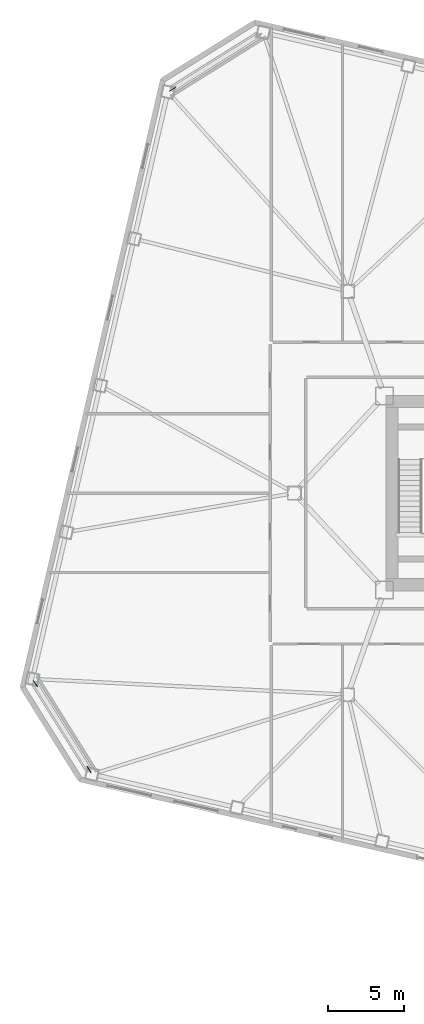
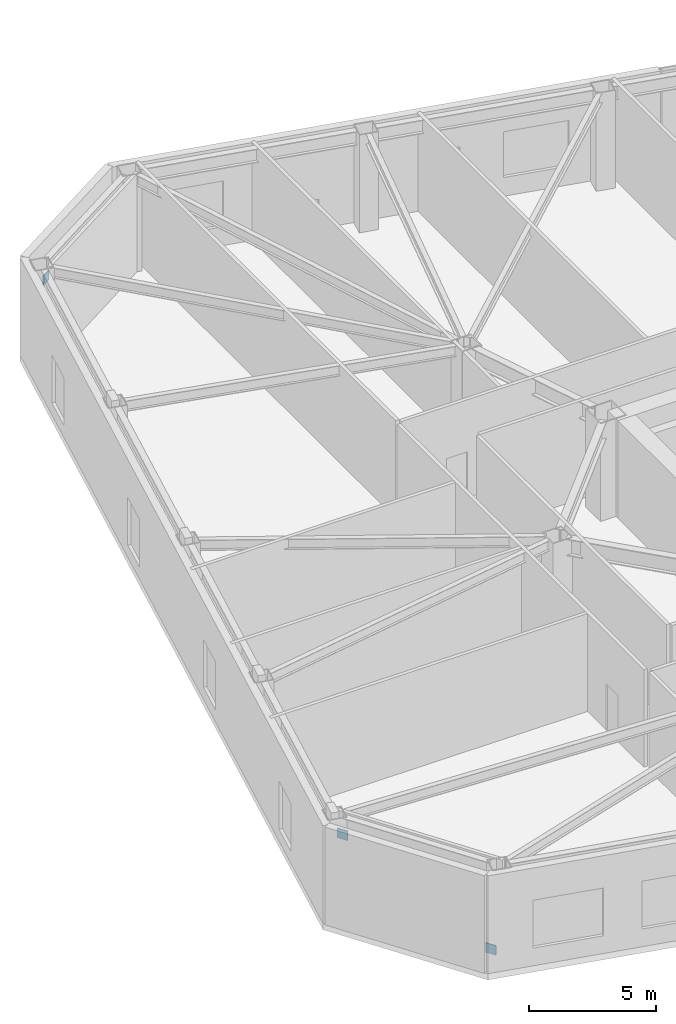
# One storey, part 15 of 20: 3 discrete accessories.
"""IFC4 building model written with IfcOpenShell, lengths in metres."""

import ifcopenshell
import ifcopenshell.guid

model = None  # the IFC model being written
_history = None  # IfcOwnerHistory: only IFC2X3 demands one
_inside = {}  # id of a spatial element -> (the spatial element, [elements in it])
_under = {}  # id of a project, library or spatial element -> (it, [spatial elements below it])
_declared = {}  # id of a project -> (the project, [libraries it declares])
_typed = {}  # id of a type object -> (the type object, [elements of that type])
_made_of = {}  # id of a material, layer set ... -> (it, [elements and type objects made of it])


def new_model(schema):
    """Start an empty IFC model of exactly this schema.

    Asked for "IFC4X3", IfcOpenShell would pick the latest addendum, in which some entities
    have other attributes; the version numbers below select the first issue.
    IFC2X3 requires an IfcOwnerHistory on every rooted entity: one is made here for all.
    """
    global model, _history
    if schema == "IFC4X3":
        model = ifcopenshell.file(schema_version=(4, 3, 0, 0))
    else:
        model = ifcopenshell.file(schema=schema)
    _inside.clear()
    _under.clear()
    _declared.clear()
    _typed.clear()
    _made_of.clear()
    _history = None
    if model.schema == "IFC2X3":
        org = make("IfcOrganization", Name="unknown")
        user = make(
            "IfcPersonAndOrganization",
            ThePerson=make("IfcPerson", FamilyName="unknown"),
            TheOrganization=org,
        )
        app = make(
            "IfcApplication",
            ApplicationDeveloper=org,
            Version="unknown",
            ApplicationFullName="unknown",
            ApplicationIdentifier="unknown",
        )
        _history = make(
            "IfcOwnerHistory",
            OwningUser=user,
            OwningApplication=app,
            ChangeAction="ADDED",
            CreationDate=0,
        )
    return model


def make(cls, **values):
    """One entity of the class cls with the attributes given. An attribute that is None is left unset."""
    return model.create_entity(
        cls, **{name: value for name, value in values.items() if value is not None}
    )


def rooted(cls, **values):
    """An entity with a GlobalId (a new one), such as an element, a storey or a relation."""
    return make(cls, GlobalId=ifcopenshell.guid.new(), OwnerHistory=_history, **values)


def si_unit(unit_type, name, prefix=None):
    """IfcSIUnit, for example si_unit("LENGTHUNIT", "METRE", prefix="MILLI")."""
    return make("IfcSIUnit", UnitType=unit_type, Prefix=prefix, Name=name)


def assignment(units):
    """IfcUnitAssignment: the units of a project."""
    return None if units is None else make("IfcUnitAssignment", Units=units)


def point(xyz):
    """IfcCartesianPoint."""
    return None if xyz is None else make("IfcCartesianPoint", Coordinates=xyz)


def direction(xyz):
    """IfcDirection."""
    return None if xyz is None else make("IfcDirection", DirectionRatios=xyz)


def frame(location, z_axis=None, x_axis=None):
    """IfcAxis2Placement3D, a coordinate frame: its origin and axes. An axis left out is left unset."""
    return make(
        "IfcAxis2Placement3D",
        Location=point(location),
        Axis=direction(z_axis),
        RefDirection=direction(x_axis),
    )


def frame_2d(location, x_axis=None):
    """IfcAxis2Placement2D, a coordinate frame in the plane: its origin and x axis."""
    return make(
        "IfcAxis2Placement2D", Location=point(location), RefDirection=direction(x_axis)
    )


def origin():
    """The frame at (0, 0, 0) with its axes left unset."""
    return frame((0.0, 0.0, 0.0))


def origin_2d():
    """The frame at (0, 0) in the plane with its x axis left unset."""
    return frame_2d((0.0, 0.0))


def place(relative_to, where):
    """IfcLocalPlacement: puts the frame where relative to a parent placement (None: the world)."""
    return make(
        "IfcLocalPlacement", PlacementRelTo=relative_to, RelativePlacement=where
    )


def context(
    kind, dimensions, precision=None, world=None, true_north=None, identifier=None
):
    """IfcGeometricRepresentationContext, for example the 3D "Model" context."""
    return make(
        "IfcGeometricRepresentationContext",
        ContextIdentifier=identifier,
        ContextType=kind,
        CoordinateSpaceDimension=dimensions,
        Precision=precision,
        WorldCoordinateSystem=world,
        TrueNorth=true_north,
    )


def subcontext(parent, identifier, kind, view, scale=None):
    """IfcGeometricRepresentationSubContext, for example "Body" below "Model"."""
    return make(
        "IfcGeometricRepresentationSubContext",
        ContextIdentifier=identifier,
        ContextType=kind,
        ParentContext=parent,
        TargetScale=scale,
        TargetView=view,
    )


def project(units=None, contexts=None):
    """IfcProject with its units and contexts."""
    return rooted(
        "IfcProject",
        Name="project",
        RepresentationContexts=contexts,
        UnitsInContext=assignment(units),
    )


def spatial(cls, under=None, at=None, **own):
    """A site, building, storey or space (cls), placed at a placement, below another one or the project."""
    s = rooted(cls, ObjectPlacement=at, **own)
    if under is not None:
        _under.setdefault(under.id(), (under, []))[1].append(s)
    return s


def profile(cls, at=None, kind="AREA", **sizes):
    """A parametric profile (cls). Its sizes go by their IFC names, for example OverallWidth=200.0."""
    return make(cls, ProfileType=kind, Position=at, **sizes)


def rectangle(**sizes):
    """IfcRectangleProfileDef."""
    return profile("IfcRectangleProfileDef", **sizes)


def extrude(swept, where, along, depth):
    """IfcExtrudedAreaSolid: the profile swept, set in the frame where, extruded along a direction by depth."""
    return make(
        "IfcExtrudedAreaSolid",
        SweptArea=swept,
        Position=where,
        ExtrudedDirection=direction(along),
        Depth=depth,
    )


def shape(context_of_items, identifier, shape_type, items):
    """IfcShapeRepresentation: the items that make up one representation, for example the "Body"."""
    return make(
        "IfcShapeRepresentation",
        ContextOfItems=context_of_items,
        RepresentationIdentifier=identifier,
        RepresentationType=shape_type,
        Items=items,
    )


def material(Name=None, Category=None):
    """IfcMaterial."""
    return make("IfcMaterial", Name=Name, Category=Category)


def made_of(thing, what):
    """Note that an element or type object is made of a material, layer set ...; save() writes the relation."""
    if what is not None:
        _made_of.setdefault(what.id(), (what, []))[1].append(thing)
    return thing


def type_object(cls, material=None, **own):
    """A type object (cls), such as IfcWallType, which elements share."""
    return made_of(rooted(cls, **own), material)


def element(
    cls,
    number,
    at=None,
    inside=None,
    cuts=None,
    type_object=None,
    material=None,
    context=None,
    identifier="Body",
    shape_type=None,
    held_by="IfcProductDefinitionShape",
    body=None,
    shapes=None,
    **own,
):
    """One element of the class cls, such as IfcWall. Its Tag is "e" and its number.

    at: its placement. inside: the storey or other place that contains it. cuts: it is an
    opening in that element (IfcRelVoidsElement). A single representation is given by context,
    identifier, shape_type and body (its items); several are given by shapes. held_by: the class
    of the entity that holds the representations. save() writes the other relations.
    """
    e = rooted(cls, Tag="e%d" % number, ObjectPlacement=at, **own)
    if body is not None:
        shapes = [shape(context, identifier, shape_type, body)]
    if shapes is not None:
        e.Representation = make(held_by, Representations=shapes)
    if inside is not None:
        _inside.setdefault(inside.id(), (inside, []))[1].append(e)
    if cuts is not None:
        rooted(
            "IfcRelVoidsElement", RelatingBuildingElement=cuts, RelatedOpeningElement=e
        )
    if type_object is not None:
        _typed.setdefault(type_object.id(), (type_object, []))[1].append(e)
    return made_of(e, material)


def aggregate(whole, parts):
    """IfcRelAggregates: a whole, such as a stair, and the parts it consists of."""
    return rooted("IfcRelAggregates", RelatingObject=whole, RelatedObjects=parts)


def save(model, path):
    """Write the relations noted so far, then the file.

    IfcRelAggregates (storeys below a building ...), IfcRelContainedInSpatialStructure (elements
    in a storey), IfcRelDefinesByType, IfcRelAssociatesMaterial and IfcRelDeclares: one each for
    every whole, place, type object, material and project.
    """
    for whole, parts in _under.values():
        aggregate(whole, parts)
    for where, things in _inside.values():
        rooted(
            "IfcRelContainedInSpatialStructure",
            RelatedElements=things,
            RelatingStructure=where,
        )
    for kind, things in _typed.values():
        rooted("IfcRelDefinesByType", RelatedObjects=things, RelatingType=kind)
    for what, things in _made_of.values():
        rooted("IfcRelAssociatesMaterial", RelatedObjects=things, RelatingMaterial=what)
    for by, libraries in _declared.values():
        rooted("IfcRelDeclares", RelatingContext=by, RelatedDefinitions=libraries)
    model.write(path)


model = new_model("IFC4")

# Units and contexts
model_context = context("Model", 3, precision=1e-05, world=origin(), true_north=direction((0.0, 1.0)))
body_context = subcontext(model_context, "Body", "Model", "MODEL_VIEW")
ifc_project = project(units=[si_unit("LENGTHUNIT", "METRE"), si_unit("AREAUNIT", "SQUARE_METRE"), si_unit("VOLUMEUNIT", "CUBIC_METRE"), si_unit("PLANEANGLEUNIT", "RADIAN"), si_unit("MASSUNIT", "GRAM", prefix="KILO")], contexts=[model_context])

# Site, building, storey
site_placement = place(None, origin())
site = spatial("IfcSite", under=ifc_project, at=site_placement, CompositionType="ELEMENT")
building_placement = place(site_placement, origin())
building = spatial("IfcBuilding", under=site, at=building_placement, Name="Tavrogorsk Clinical Tower", CompositionType="ELEMENT")
storey_placement = place(building_placement, frame((0.0, 0.0, 18.39990234375)))
storey = spatial("IfcBuildingStorey", under=building, at=storey_placement, Name="L03", CompositionType="ELEMENT", Elevation=18.39990234375)

# Discrete accessories
ifc_material = material(Name="Structural steel S440", Category="steel")
discrete_accessory_type = type_object("IfcDiscreteAccessoryType", Name="GussetPlateBracket_25", PredefinedType="BRACKET", material=ifc_material)
for number, where, z_axis, x_axis, name in (
    (1, (-35.967041015625, 26.452880859375, 3.586669921875), (0.0, 0.0, 1.0), (-0.848048096156, -0.529919264233, 0.0), "L03 Brace Gusset Plate EXOCRN-L03-3-B"),
    (2, (-41.4443359375, -18.096923828125, 0.25341796875), (0.0, 0.0, 1.0), (-0.529919264233, 0.848048096156, 0.0), "L03 Brace Gusset Plate EXOCRN-L03-4-A"),
    (3, (-44.955078125, -12.478515625, 3.586669921875), (0.0, 0.0, 1.0), (-0.529919264233, 0.848048096156, 0.0), "L03 Brace Gusset Plate EXOCRN-L03-4-B"),
):
    element("IfcDiscreteAccessory", number, at=place(storey_placement, frame(where, z_axis=z_axis, x_axis=x_axis)), inside=storey, type_object=discrete_accessory_type, Name=name, PredefinedType="BRACKET", context=body_context, shape_type="SweptSolid", body=[
        extrude(rectangle(XDim=0.4599609375, YDim=0.0400390625, at=origin_2d()), origin(), (0.0, 0.0, 1.0), 0.4599609375),
    ])

save(model, "model.ifc")
